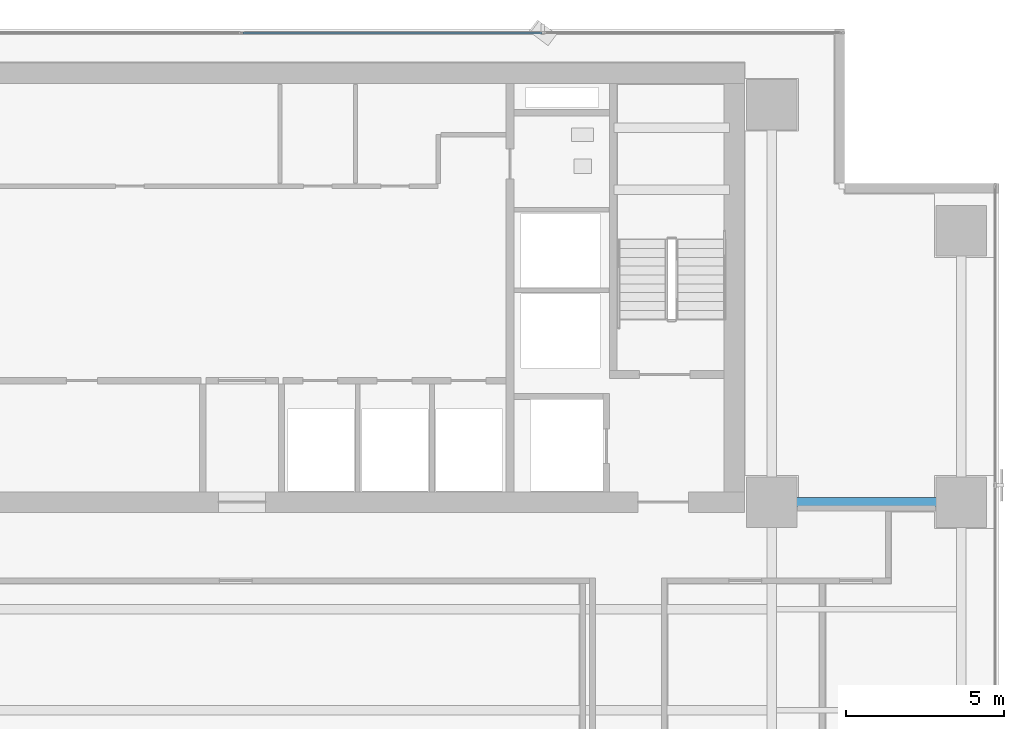
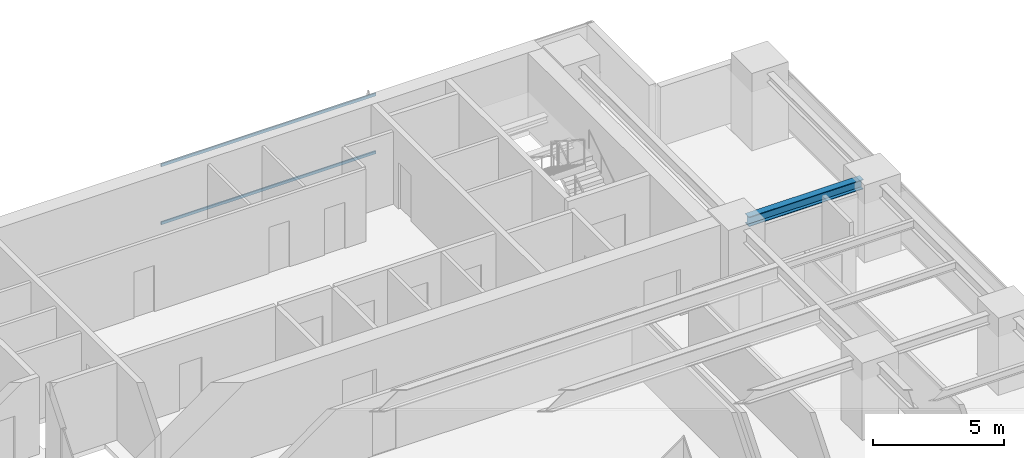
# One storey, part 17 of 28: 2 members, 1 beam, 1 element without a shape of its own.
"""IFC4 building model written with IfcOpenShell, lengths in metres."""

from ifc_helpers import new_model, si_unit, direction, frame, origin, origin_2d, place, context, subcontext, project, spatial, hollow_rectangle, i_section, extrude, source, transform, mapped, material, layer, layer_set, material_profile, profile_set, type_object, element, aggregate, save


model = new_model("IFC4")

# Units and contexts
model_context = context("Model", 3, precision=1e-05, world=origin(), true_north=direction((0.0, 1.0)))
body_context = subcontext(model_context, "Body", "Model", "MODEL_VIEW")
ifc_project = project(units=[si_unit("LENGTHUNIT", "METRE"), si_unit("AREAUNIT", "SQUARE_METRE"), si_unit("VOLUMEUNIT", "CUBIC_METRE"), si_unit("PLANEANGLEUNIT", "RADIAN"), si_unit("MASSUNIT", "GRAM", prefix="KILO")], contexts=[model_context])

# Site, building, storey
site_placement = place(None, origin())
site = spatial("IfcSite", under=ifc_project, at=site_placement, CompositionType="ELEMENT")
building_placement = place(site_placement, origin())
building = spatial("IfcBuilding", under=site, at=building_placement, Name="Sumidabori Civic Tower", CompositionType="ELEMENT")
storey_placement = place(building_placement, frame((0.0, 0.0, 167.60009765625)))
storey = spatial("IfcBuildingStorey", under=building, at=storey_placement, Name="L43", CompositionType="ELEMENT", Elevation=167.60009765625)

# Beam
ifc_material_1 = material(Name="Steel SN490", Category="steel")
ifc_material_profile_1 = material_profile(ifc_material_1, i_section(OverallWidth=0.300048828125, OverallDepth=0.449951171875, WebThickness=0.013916015625, FlangeThickness=0.02587890625, at=origin_2d()), Name="HE 450 B")
ifc_profile_set_1 = profile_set([ifc_material_profile_1], Name="Steel SN490")
beam_type = type_object("IfcBeamType", Name="BM-GIRD-450", PredefinedType="BEAM", material=ifc_profile_set_1)
shared_shape_1 = source(origin(), body_context, "Body", "SweptSolid", [
    extrude(i_section(OverallWidth=0.300048828125, OverallDepth=0.449951171875, WebThickness=0.013916015625, FlangeThickness=0.02587890625, at=origin_2d()), origin(), (0.0, 0.0, 1.0), 5.0400390625),
])
beam_placement = place(storey_placement, frame((17.280029296875, 10.199951171875, 3.15478515625), z_axis=(1.0, 0.0, 0.0), x_axis=(0.0, 1.0, 0.0)))
element("IfcBeam", 1, at=beam_placement, inside=storey, type_object=beam_type, Name="Primary Girder L43 GX-18", PredefinedType="BEAM", context=body_context, shape_type="MappedRepresentation", body=[
    mapped(shared_shape_1, transform((0.0, 0.0, 0.0), x_axis=(1.0, 0.0, 0.0), y_axis=(0.0, 1.0, 0.0), z_axis=(0.0, 0.0, 1.0), scale=1.0)),
])

# Curtain wall, members
ifc_material_2 = material(Name="Anodised Bronze Aluminium AW-6063-T6", Category="aluminium")
ifc_layer = layer(ifc_material_2, 0.179931640625, Name="Anodised Bronze Aluminium AW-6063-T6")
ifc_layer_set = layer_set([ifc_layer], Name="Anodised Bronze Aluminium AW-6063-T6")
curtain_wall_type = type_object("IfcCurtainWallType", Name="CW-SYS-3", PredefinedType="NOTDEFINED", material=ifc_layer_set)
curtain_wall_placement = place(storey_placement, origin())
curtain_wall = element("IfcCurtainWall", 2, at=curtain_wall_placement, inside=storey, type_object=curtain_wall_type, Name="Curtain Wall CW:L43:R07", PredefinedType="NOTDEFINED")
ifc_material_profile_2 = material_profile(ifc_material_2, hollow_rectangle(XDim=0.06005859375, YDim=0.1298828125, WallThickness=0.0048828125, at=origin_2d()), Name="ALU TRANSOM 130x60")
ifc_profile_set_2 = profile_set([ifc_material_profile_2], Name="Anodised Bronze Aluminium AW-6063-T6")
member_type = type_object("IfcMemberType", Name="CW-TRN-130", PredefinedType="USERDEFINED", material=ifc_profile_set_2)
shared_shape_2 = source(origin(), body_context, "Body", "SweptSolid", [
    extrude(hollow_rectangle(XDim=0.06005859375, YDim=0.1298828125, WallThickness=0.0048828125, at=origin_2d()), origin(), (0.0, 0.0, 1.0), 9.469970703125),
])
member_1_placement = place(storey_placement, frame((9.50244140625, 25.080078125, 0.02978515625), z_axis=(-1.0, 0.0, 0.0), x_axis=(0.0, -1.0, 0.0)))
member_1 = element("IfcMember", 3, at=member_1_placement, type_object=member_type, Name="CW-3 transom 2.1", ObjectType="TRANSOM", PredefinedType="USERDEFINED", context=body_context, shape_type="MappedRepresentation", body=[
    mapped(shared_shape_2, transform((0.0, 0.0, 0.0), x_axis=(1.0, 0.0, 0.0), y_axis=(0.0, 1.0, 0.0), z_axis=(0.0, 0.0, 1.0), scale=1.0)),
])
member_2_placement = place(storey_placement, frame((9.50244140625, 25.080078125, 2.72998046875), z_axis=(-1.0, 0.0, 0.0), x_axis=(0.0, -1.0, 0.0)))
member_2 = element("IfcMember", 4, at=member_2_placement, type_object=member_type, Name="CW-3 transom 2.2", ObjectType="TRANSOM", PredefinedType="USERDEFINED", context=body_context, shape_type="MappedRepresentation", body=[
    mapped(shared_shape_2, transform((0.0, 0.0, 0.0), x_axis=(1.0, 0.0, 0.0), y_axis=(0.0, 1.0, 0.0), z_axis=(0.0, 0.0, 1.0), scale=1.0)),
])
aggregate(curtain_wall, [member_1, member_2])

save(model, "model.ifc")
